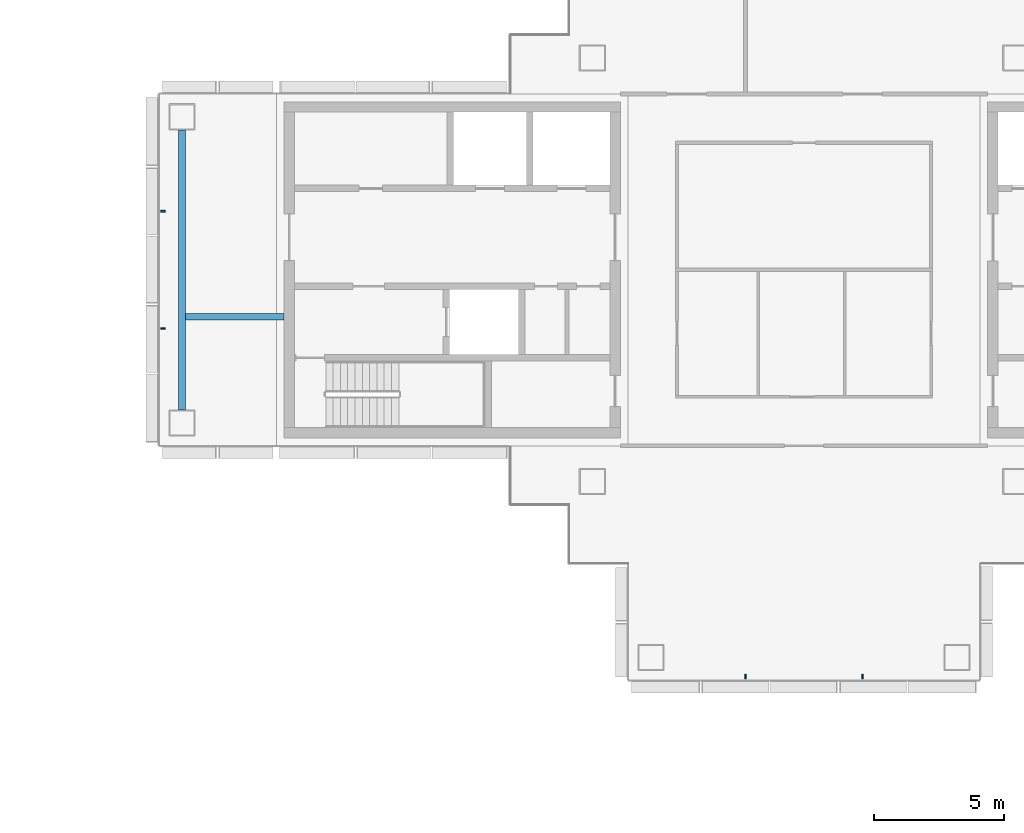
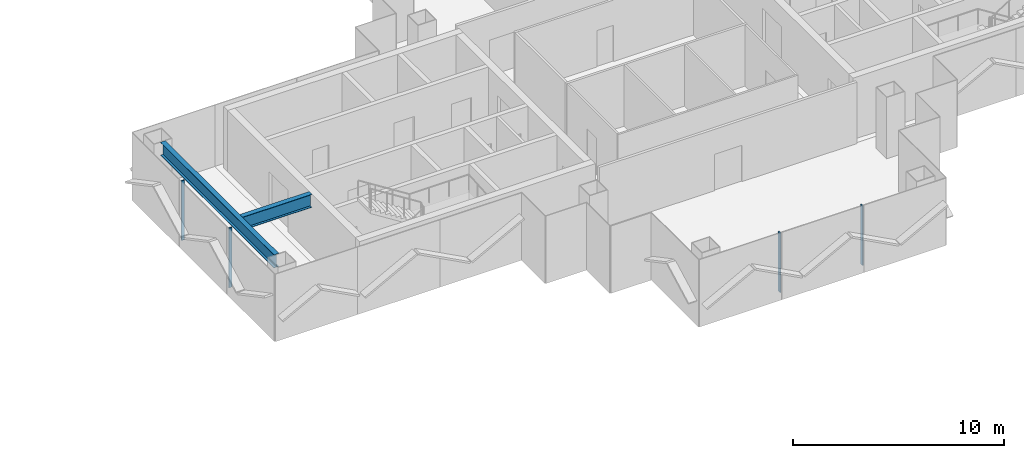
# One storey, part 5 of 17: 4 members, 2 beams, 2 elements without a shape of their own.
"""IFC4 building model written with IfcOpenShell, lengths in metres."""

from ifc_helpers import new_model, si_unit, direction, frame, origin, origin_2d, place, context, subcontext, project, spatial, rectangle, i_section, extrude, material, layer, layer_set, material_profile, profile_set, type_object, element, aggregate, save


model = new_model("IFC4")

# Units and contexts
model_context = context("Model", 3, precision=1e-05, world=origin(), true_north=direction((0.0, 1.0)))
body_context = subcontext(model_context, "Body", "Model", "MODEL_VIEW")
ifc_project = project(units=[si_unit("LENGTHUNIT", "METRE"), si_unit("AREAUNIT", "SQUARE_METRE"), si_unit("VOLUMEUNIT", "CUBIC_METRE"), si_unit("PLANEANGLEUNIT", "RADIAN"), si_unit("MASSUNIT", "GRAM", prefix="KILO")], contexts=[model_context])

# Site, building, storey
site_placement = place(None, origin())
site = spatial("IfcSite", under=ifc_project, at=site_placement, CompositionType="ELEMENT")
building_placement = place(site_placement, origin())
building = spatial("IfcBuilding", under=site, at=building_placement, Name="Shamsa Quay Exchange Towers", CompositionType="ELEMENT")
storey_placement = place(building_placement, frame((0.0, 0.0, 217.800048828125)))
storey = spatial("IfcBuildingStorey", under=building, at=storey_placement, Name="L52", CompositionType="ELEMENT", Elevation=217.800048828125)

# Curtain wall, members
ifc_material_1 = material(Name="Aluminium EN AW-6063 T6, black anodised", Category="aluminium")
ifc_layer = layer(ifc_material_1, 0.280029296875)
ifc_layer_set = layer_set([ifc_layer], Name="CW-1 UNITISED VISION GLASS")
curtain_wall_type = type_object("IfcCurtainWallType", Name="CW-1 UNITISED VISION GLASS", PredefinedType="NOTDEFINED", material=ifc_layer_set)
curtain_wall_1_placement = place(storey_placement, origin())
curtain_wall_1 = element("IfcCurtainWall", 1, at=curtain_wall_1_placement, inside=storey, type_object=curtain_wall_type, Name="CW1 T2-END-V+ L52", PredefinedType="NOTDEFINED")
ifc_material_profile_1 = material_profile(ifc_material_1, rectangle(XDim=0.179931640625, YDim=0.06005859375, at=origin_2d()), Name="MU60x180")
ifc_profile_set_1 = profile_set([ifc_material_profile_1], Name="Aluminium EN AW-6063 T6, black anodised")
member_type = type_object("IfcMemberType", Name="CW1 MULLION 60x180", PredefinedType="MULLION", material=ifc_profile_set_1)
member_1_placement = place(storey_placement, frame((9.14990234375, 2.25, 0.0)))
member_1 = element("IfcMember", 2, at=member_1_placement, type_object=member_type, Name="CW1 mullion", PredefinedType="MULLION", context=body_context, shape_type="SweptSolid", body=[
    extrude(rectangle(XDim=0.179931640625, YDim=0.06005859375, at=origin_2d()), origin(), (0.0, 0.0, 1.0), 3.449951171875),
])
member_2_placement = place(storey_placement, frame((9.14990234375, -2.25, 0.0)))
member_2 = element("IfcMember", 3, at=member_2_placement, type_object=member_type, Name="CW1 mullion", PredefinedType="MULLION", context=body_context, shape_type="SweptSolid", body=[
    extrude(rectangle(XDim=0.179931640625, YDim=0.06005859375, at=origin_2d()), origin(), (0.0, 0.0, 1.0), 3.449951171875),
])
aggregate(curtain_wall_1, [member_1, member_2])

curtain_wall_2_placement = place(storey_placement, origin())
curtain_wall_2 = element("IfcCurtainWall", 4, at=curtain_wall_2_placement, inside=storey, type_object=curtain_wall_type, Name="CW1 T2-END-U- L52", PredefinedType="NOTDEFINED")
member_3_placement = place(storey_placement, frame((31.5, -15.60009765625, 0.0), z_axis=(0.0, 0.0, 1.0), x_axis=(0.0, 1.0, 0.0)))
member_3 = element("IfcMember", 5, at=member_3_placement, type_object=member_type, Name="CW1 mullion", PredefinedType="MULLION", context=body_context, shape_type="SweptSolid", body=[
    extrude(rectangle(XDim=0.179931640625, YDim=0.06005859375, at=origin_2d()), origin(), (0.0, 0.0, 1.0), 3.449951171875),
])
member_4_placement = place(storey_placement, frame((36.0, -15.60009765625, 0.0), z_axis=(0.0, 0.0, 1.0), x_axis=(0.0, 1.0, 0.0)))
member_4 = element("IfcMember", 6, at=member_4_placement, type_object=member_type, Name="CW1 mullion", PredefinedType="MULLION", context=body_context, shape_type="SweptSolid", body=[
    extrude(rectangle(XDim=0.179931640625, YDim=0.06005859375, at=origin_2d()), origin(), (0.0, 0.0, 1.0), 3.449951171875),
])
aggregate(curtain_wall_2, [member_3, member_4])

# Beams
ifc_material_2 = material(Name="Steel S355", Category="steel")
ifc_material_profile_2 = material_profile(ifc_material_2, i_section(OverallWidth=0.26611328125, OverallDepth=0.7578125, WebThickness=0.013916015625, FlangeThickness=0.019287109375, at=origin_2d()), Name="W30x108")
ifc_profile_set_2 = profile_set([ifc_material_profile_2], Name="Steel S355")
beam_type = type_object("IfcBeamType", Name="End-zone beam W30x108", PredefinedType="BEAM", material=ifc_profile_set_2)
beam_1_placement = place(storey_placement, frame((9.875, -5.375, 3.171142578125), z_axis=(0.0, 1.0, 0.0), x_axis=(-1.0, 0.0, 0.0)))
element("IfcBeam", 7, at=beam_1_placement, inside=storey, type_object=beam_type, Name="End beam T2 V+ end zone L52", PredefinedType="BEAM", context=body_context, shape_type="SweptSolid", body=[
    extrude(i_section(OverallWidth=0.26611328125, OverallDepth=0.7578125, WebThickness=0.013916015625, FlangeThickness=0.019287109375, at=origin_2d()), origin(), (0.0, 0.0, 1.0), 10.75),
])
beam_2_placement = place(storey_placement, frame((13.800048828125, -1.800048828125, 3.171142578125), z_axis=(-1.0, 0.0, 0.0), x_axis=(0.0, -1.0, 0.0)))
element("IfcBeam", 8, at=beam_2_placement, inside=storey, type_object=beam_type, Name="Spine beam T2 V+ end zone L52", PredefinedType="BEAM", context=body_context, shape_type="SweptSolid", body=[
    extrude(i_section(OverallWidth=0.26611328125, OverallDepth=0.7578125, WebThickness=0.013916015625, FlangeThickness=0.019287109375, at=origin_2d()), origin(), (0.0, 0.0, 1.0), 3.7919921875),
])

save(model, "model.ifc")
